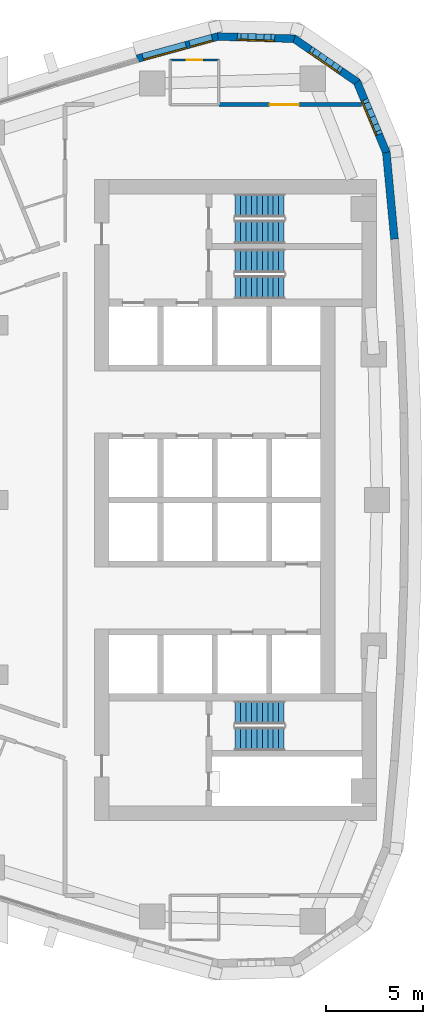
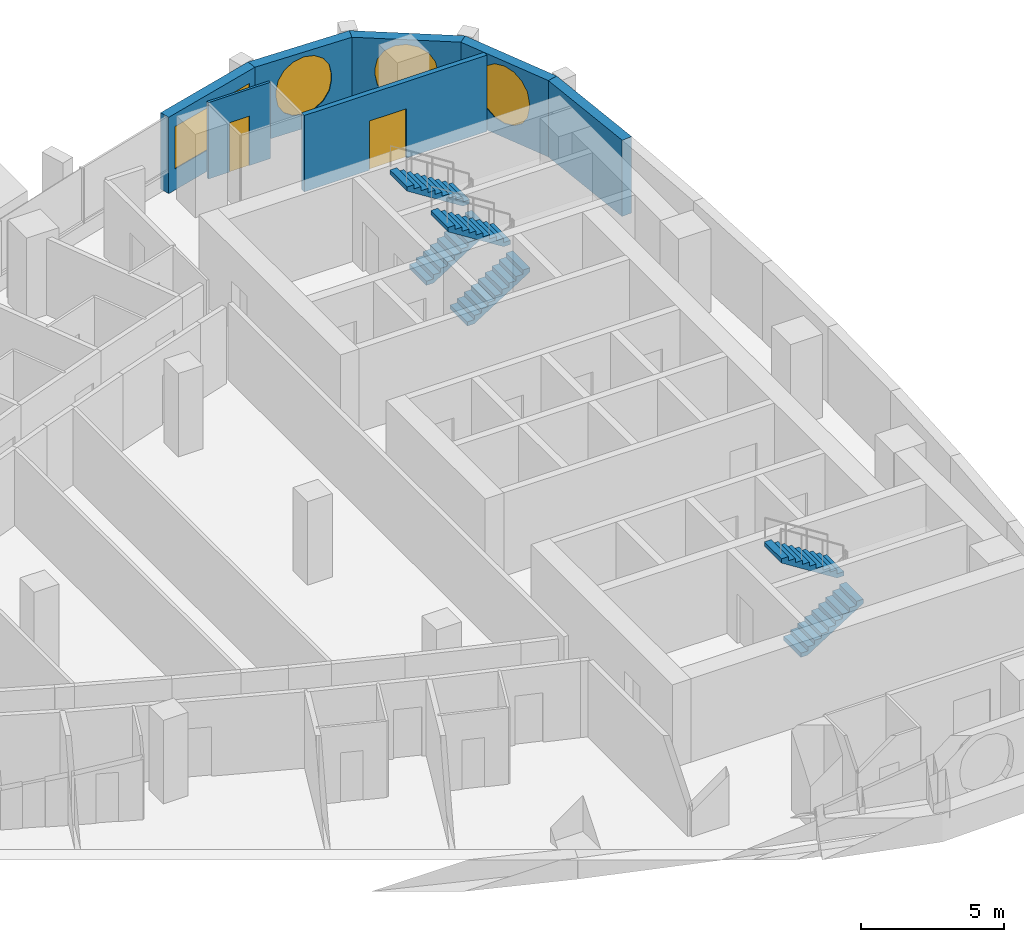
# One storey, part 13 of 17: 7 walls, 6 stair flights, 5 windows, 2 doors, 7 openings, 3 elements without a shape of their own.
"""IFC4 building model written with IfcOpenShell, lengths in metres."""

from ifc_helpers import new_model, si_unit, direction, frame, frame_2d, origin, place, context, subcontext, project, spatial, polyline, rectangle, outline, extrude, material, layer, layer_set, type_object, element, fill, aggregate, save


model = new_model("IFC4")

# Units and contexts
model_context = context("Model", 3, precision=1e-05, world=origin(), true_north=direction((0.0, 1.0)))
body_context = subcontext(model_context, "Body", "Model", "MODEL_VIEW")
ifc_project = project(units=[si_unit("LENGTHUNIT", "METRE"), si_unit("AREAUNIT", "SQUARE_METRE"), si_unit("VOLUMEUNIT", "CUBIC_METRE"), si_unit("PLANEANGLEUNIT", "RADIAN"), si_unit("MASSUNIT", "GRAM", prefix="KILO")], contexts=[model_context])

# Site, building, storey
site_placement = place(None, origin())
site = spatial("IfcSite", under=ifc_project, at=site_placement, CompositionType="ELEMENT")
building_placement = place(site_placement, origin())
building = spatial("IfcBuilding", under=site, at=building_placement, Name="Ostrand Prow Hotel Tower", CompositionType="ELEMENT")
storey_placement = place(building_placement, frame((0.0, 0.0, 175.5)))
storey = spatial("IfcBuildingStorey", under=building, at=storey_placement, Name="L43", CompositionType="ELEMENT", Elevation=175.5)

# Wall, opening, door
ifc_material_1 = material(Name="Plasterboard partition")
ifc_layer_1 = layer(ifc_material_1, 0.10009765625)
ifc_layer_set_1 = layer_set([ifc_layer_1], Name="Plasterboard partition")
wall_type_1 = type_object("IfcWallType", Name="Partition 100 bathroom wall", PredefinedType="PARTITIONING", material=ifc_layer_set_1)
wall_1_placement = place(storey_placement, frame((53.85009765625, 22.64990234375, 0.0), z_axis=(0.0, 0.0, 1.0), x_axis=(1.0, 0.0, 0.0)))
wall_1 = element("IfcWall", 1, at=wall_1_placement, inside=storey, type_object=wall_type_1, Name="BATHROOM WALL", PredefinedType="PARTITIONING", context=body_context, shape_type="SweptSolid", body=[
    extrude(rectangle(XDim=2.5, YDim=0.10009765625, at=frame_2d((1.25, 0.0))), origin(), (0.0, 0.0, 1.0), 3.25),
])
opening_1_placement = place(wall_1_placement, frame((0.85009765625, 0.0, 0.0)))
opening_1 = element("IfcOpeningElement", 2, at=opening_1_placement, cuts=wall_1, Name="Opening D2", PredefinedType="OPENING", context=body_context, shape_type="SweptSolid", body=[
    extrude(rectangle(XDim=0.800048828125, YDim=2.10009765625, at=frame_2d((0.39990234375, 1.050048828125))), frame((0.0, 0.06005859375, 0.0), z_axis=(0.0, -1.0, 0.0), x_axis=(1.0, 0.0, 0.0)), (0.0, 0.0, 1.0), 0.1201171875),
])
ifc_material_2 = material(Name="Timber door leaf", Category="wood")
door_type_1 = type_object("IfcDoorType", Name="Bathroom door 800", OperationType="SINGLE_SWING_LEFT", PredefinedType="DOOR", material=ifc_material_2)
door_1_placement = place(opening_1_placement, origin())
door_1 = element("IfcDoor", 3, at=door_1_placement, inside=storey, type_object=door_type_1, Name="DOOR", OperationType="SINGLE_SWING_LEFT", OverallHeight=2.10009765625, OverallWidth=0.800048828125, PredefinedType="DOOR", context=body_context, shape_type="SweptSolid", body=[
    extrude(rectangle(XDim=0.800048828125, YDim=2.10009765625, at=frame_2d((0.39990234375, 1.050048828125))), frame((0.0, 0.02490234375, 0.0), z_axis=(0.0, -1.0, 0.0), x_axis=(1.0, 0.0, 0.0)), (0.0, 0.0, 1.0), 0.050048828125),
])
fill(opening_1, door_1)

ifc_material_3 = material(Name="Plasterboard partition")
ifc_layer_2 = layer(ifc_material_3, 0.199951171875)
ifc_layer_set_2 = layer_set([ifc_layer_2], Name="Plasterboard partition")
wall_type_2 = type_object("IfcWallType", Name="Partition 200 corridor wall", PredefinedType="PARTITIONING", material=ifc_layer_set_2)
wall_2_placement = place(storey_placement, frame((63.70947265625, 20.35498046875, 0.0), z_axis=(0.0, 0.0, 1.0), x_axis=(-1.0, 0.0, 0.0)))
wall_2 = element("IfcWall", 4, at=wall_2_placement, inside=storey, type_object=wall_type_2, Name="CORRIDOR WALL", PredefinedType="PARTITIONING", context=body_context, shape_type="SweptSolid", body=[
    extrude(rectangle(XDim=7.3544921875, YDim=0.199951171875, at=frame_2d((3.67724609375, 0.0))), origin(), (0.0, 0.0, 1.0), 3.25),
])
opening_2_placement = place(wall_2_placement, frame((3.230712890625, 0.0, 0.0)))
opening_2 = element("IfcOpeningElement", 5, at=opening_2_placement, cuts=wall_2, Name="Opening D15", PredefinedType="OPENING", context=body_context, shape_type="SweptSolid", body=[
    extrude(rectangle(XDim=1.5, YDim=2.10009765625, at=frame_2d((0.75, 1.050048828125))), frame((0.0, 0.10986328125, 0.0), z_axis=(0.0, -1.0, 0.0), x_axis=(1.0, 0.0, 0.0)), (0.0, 0.0, 1.0), 0.219970703125),
])
ifc_material_4 = material(Name="Timber door leaf", Category="wood")
door_type_2 = type_object("IfcDoorType", Name="Double door 1500", OperationType="DOUBLE_DOOR_SINGLE_SWING", PredefinedType="DOOR", material=ifc_material_4)
door_2_placement = place(opening_2_placement, origin())
door_2 = element("IfcDoor", 6, at=door_2_placement, inside=storey, type_object=door_type_2, Name="DOOR", OperationType="DOUBLE_DOOR_SINGLE_SWING", OverallHeight=2.10009765625, OverallWidth=1.5, PredefinedType="DOOR", context=body_context, shape_type="SweptSolid", body=[
    extrude(rectangle(XDim=1.5, YDim=2.10009765625, at=frame_2d((0.75, 1.050048828125))), frame((0.0, 0.02490234375, 0.0), z_axis=(0.0, -1.0, 0.0), x_axis=(1.0, 0.0, 0.0)), (0.0, 0.0, 1.0), 0.050048828125),
])
fill(opening_2, door_2)

# Wall
ifc_material_5 = material(Name="Precast concrete C40/50", Category="concrete")
ifc_layer_3 = layer(ifc_material_5, 0.39990234375)
ifc_layer_set_3 = layer_set([ifc_layer_3], Name="Precast concrete C40/50")
wall_type_3 = type_object("IfcWallType", Name="Stone-faced precast wall 400 mm", PredefinedType="NOTDEFINED", material=ifc_layer_set_3)
wall_3_placement = place(storey_placement, frame((65.400634765625, 13.4287109375, 0.0), z_axis=(0.0, 0.0, 1.0), x_axis=(-0.093605694738, 0.995609348044, 0.0)))
element("IfcWall", 7, at=wall_3_placement, inside=storey, type_object=wall_type_3, Name="Stone-faced wall back 12", PredefinedType="NOTDEFINED", context=body_context, shape_type="SweptSolid", body=[
    extrude(outline(polyline([(-0.002685546875, -0.199951171875), (4.51123046875, -0.199951171875), (4.45068359375, 0.199951171875), (0.002685546875, 0.199951171875), (-0.002685546875, -0.199951171875)])), origin(), (0.0, 0.0, 1.0), 3.25),
])

# Wall, opening, window
wall_4_placement = place(storey_placement, frame((64.981201171875, 17.889892578125, 0.0), z_axis=(0.0, 0.0, 1.0), x_axis=(-0.383997619794, 0.923334082547, 0.0)))
wall_4 = element("IfcWall", 8, at=wall_4_placement, inside=storey, type_object=wall_type_3, Name="Stone-faced wall back 13", PredefinedType="NOTDEFINED", context=body_context, shape_type="SweptSolid", body=[
    extrude(outline(polyline([(-0.0302734375, -0.199951171875), (3.98828125, -0.199951171875), (3.8701171875, 0.199951171875), (0.0302734375, 0.199951171875), (-0.0302734375, -0.199951171875)])), origin(), (0.0, 0.0, 1.0), 3.25),
])
opening_3_placement = place(wall_4_placement, frame((0.864501953125, 0.0, 0.60009765625)))
opening_3 = element("IfcOpeningElement", 9, at=opening_3_placement, cuts=wall_4, Name="Opening WP1", PredefinedType="OPENING", context=body_context, shape_type="SweptSolid", body=[
    extrude(outline(polyline([(0.0, 1.35009765625), (0.083740234375, 1.77099609375), (0.322265625, 2.127685546875), (0.678955078125, 2.3662109375), (1.10009765625, 2.449951171875), (1.52099609375, 2.3662109375), (1.877685546875, 2.127685546875), (2.1162109375, 1.77099609375), (2.199951171875, 1.35009765625), (2.199951171875, 1.10009765625), (2.1162109375, 0.678955078125), (1.877685546875, 0.322265625), (1.52099609375, 0.083740234375), (1.10009765625, 0.0), (0.678955078125, 0.083740234375), (0.322265625, 0.322265625), (0.083740234375, 0.678955078125), (0.0, 1.099853515625), (0.0, 1.35009765625)])), frame((0.0, 0.2099609375, 0.0), z_axis=(0.0, -1.0, 0.0), x_axis=(1.0, 0.0, 0.0)), (0.0, 0.0, 1.0), 0.419921875),
])
ifc_material_6 = material(Name="Insulated glass in bronze frame", Category="glass")
window_type_1 = type_object("IfcWindowType", Name="Round-ended prow window 2200x2450", PartitioningType="SINGLE_PANEL", PredefinedType="WINDOW", material=ifc_material_6)
window_1_placement = place(opening_3_placement, origin())
window_1 = element("IfcWindow", 10, at=window_1_placement, inside=storey, type_object=window_type_1, Name="Window back 13.1", OverallHeight=2.449951171875, OverallWidth=2.199951171875, PartitioningType="SINGLE_PANEL", PredefinedType="WINDOW", context=body_context, shape_type="SweptSolid", body=[
    extrude(outline(polyline([(0.0, 1.35009765625), (0.083740234375, 1.77099609375), (0.322265625, 2.127685546875), (0.678955078125, 2.3662109375), (1.10009765625, 2.449951171875), (1.52099609375, 2.3662109375), (1.877685546875, 2.127685546875), (2.1162109375, 1.77099609375), (2.199951171875, 1.35009765625), (2.199951171875, 1.10009765625), (2.1162109375, 0.678955078125), (1.877685546875, 0.322265625), (1.52099609375, 0.083740234375), (1.10009765625, 0.0), (0.678955078125, 0.083740234375), (0.322265625, 0.322265625), (0.083740234375, 0.678955078125), (0.0, 1.099853515625), (0.0, 1.35009765625)])), frame((0.0, 0.169921875, 0.0), z_axis=(0.0, -1.0, 0.0), x_axis=(1.0, 0.0, 0.0)), (0.0, 0.0, 1.0), 0.06005859375),
])
fill(opening_3, window_1)

wall_5_placement = place(storey_placement, frame((63.472412109375, 21.517822265625, 0.0), z_axis=(0.0, 0.0, 1.0), x_axis=(-0.823806162588, 0.566871596115, 0.0)))
wall_5 = element("IfcWall", 11, at=wall_5_placement, inside=storey, type_object=wall_type_3, Name="Stone-faced wall back 14", PredefinedType="NOTDEFINED", context=body_context, shape_type="SweptSolid", body=[
    extrude(outline(polyline([(-0.05908203125, -0.199951171875), (3.98828125, -0.199951171875), (3.8701171875, 0.199951171875), (0.05908203125, 0.199951171875), (-0.05908203125, -0.199951171875)])), origin(), (0.0, 0.0, 1.0), 3.25),
])
opening_4_placement = place(wall_5_placement, frame((0.864501953125, 0.0, 0.60009765625)))
opening_4 = element("IfcOpeningElement", 12, at=opening_4_placement, cuts=wall_5, Name="Opening WP1", PredefinedType="OPENING", context=body_context, shape_type="SweptSolid", body=[
    extrude(outline(polyline([(0.0, 1.35009765625), (0.083740234375, 1.77099609375), (0.322265625, 2.127685546875), (0.678955078125, 2.3662109375), (1.10009765625, 2.449951171875), (1.52099609375, 2.3662109375), (1.877685546875, 2.127685546875), (2.1162109375, 1.77099609375), (2.199951171875, 1.35009765625), (2.199951171875, 1.10009765625), (2.1162109375, 0.678955078125), (1.877685546875, 0.322265625), (1.52099609375, 0.083740234375), (1.10009765625, 0.0), (0.678955078125, 0.083740234375), (0.322265625, 0.322265625), (0.083740234375, 0.678955078125), (0.0, 1.099853515625), (0.0, 1.35009765625)])), frame((0.0, 0.2099609375, 0.0), z_axis=(0.0, -1.0, 0.0), x_axis=(1.0, 0.0, 0.0)), (0.0, 0.0, 1.0), 0.419921875),
])
window_2_placement = place(opening_4_placement, origin())
window_2 = element("IfcWindow", 13, at=window_2_placement, inside=storey, type_object=window_type_1, Name="Window back 14.1", OverallHeight=2.449951171875, OverallWidth=2.199951171875, PartitioningType="SINGLE_PANEL", PredefinedType="WINDOW", context=body_context, shape_type="SweptSolid", body=[
    extrude(outline(polyline([(0.0, 1.35009765625), (0.083740234375, 1.77099609375), (0.322265625, 2.127685546875), (0.678955078125, 2.3662109375), (1.10009765625, 2.449951171875), (1.52099609375, 2.3662109375), (1.877685546875, 2.127685546875), (2.1162109375, 1.77099609375), (2.199951171875, 1.35009765625), (2.199951171875, 1.10009765625), (2.1162109375, 0.678955078125), (1.877685546875, 0.322265625), (1.52099609375, 0.083740234375), (1.10009765625, 0.0), (0.678955078125, 0.083740234375), (0.322265625, 0.322265625), (0.083740234375, 0.678955078125), (0.0, 1.099853515625), (0.0, 1.35009765625)])), frame((0.0, 0.169921875, 0.0), z_axis=(0.0, -1.0, 0.0), x_axis=(1.0, 0.0, 0.0)), (0.0, 0.0, 1.0), 0.06005859375),
])
fill(opening_4, window_2)

wall_6_placement = place(storey_placement, frame((60.235595703125, 23.7451171875, 0.0), z_axis=(0.0, 0.0, 1.0), x_axis=(-0.999587920197, 0.028705222472, 0.0)))
wall_6 = element("IfcWall", 14, at=wall_6_placement, inside=storey, type_object=wall_type_3, Name="Stone-faced wall back 15", PredefinedType="NOTDEFINED", context=body_context, shape_type="SweptSolid", body=[
    extrude(outline(polyline([(-0.05908203125, -0.199951171875), (3.959228515625, -0.199951171875), (3.899658203125, 0.199951171875), (0.05908203125, 0.199951171875), (-0.05908203125, -0.199951171875)])), origin(), (0.0, 0.0, 1.0), 3.25),
])
opening_5_placement = place(wall_6_placement, frame((0.864501953125, 0.0, 0.60009765625)))
opening_5 = element("IfcOpeningElement", 15, at=opening_5_placement, cuts=wall_6, Name="Opening WP1", PredefinedType="OPENING", context=body_context, shape_type="SweptSolid", body=[
    extrude(outline(polyline([(0.0, 1.35009765625), (0.083740234375, 1.77099609375), (0.322265625, 2.127685546875), (0.678955078125, 2.3662109375), (1.10009765625, 2.449951171875), (1.52099609375, 2.3662109375), (1.877685546875, 2.127685546875), (2.1162109375, 1.77099609375), (2.199951171875, 1.35009765625), (2.199951171875, 1.10009765625), (2.1162109375, 0.678955078125), (1.877685546875, 0.322265625), (1.52099609375, 0.083740234375), (1.10009765625, 0.0), (0.678955078125, 0.083740234375), (0.322265625, 0.322265625), (0.083740234375, 0.678955078125), (0.0, 1.099853515625), (0.0, 1.35009765625)])), frame((0.0, 0.2099609375, 0.0), z_axis=(0.0, -1.0, 0.0), x_axis=(1.0, 0.0, 0.0)), (0.0, 0.0, 1.0), 0.419921875),
])
window_3_placement = place(opening_5_placement, origin())
window_3 = element("IfcWindow", 16, at=window_3_placement, inside=storey, type_object=window_type_1, Name="Window back 15.1", OverallHeight=2.449951171875, OverallWidth=2.199951171875, PartitioningType="SINGLE_PANEL", PredefinedType="WINDOW", context=body_context, shape_type="SweptSolid", body=[
    extrude(outline(polyline([(0.0, 1.35009765625), (0.083740234375, 1.77099609375), (0.322265625, 2.127685546875), (0.678955078125, 2.3662109375), (1.10009765625, 2.449951171875), (1.52099609375, 2.3662109375), (1.877685546875, 2.127685546875), (2.1162109375, 1.77099609375), (2.199951171875, 1.35009765625), (2.199951171875, 1.10009765625), (2.1162109375, 0.678955078125), (1.877685546875, 0.322265625), (1.52099609375, 0.083740234375), (1.10009765625, 0.0), (0.678955078125, 0.083740234375), (0.322265625, 0.322265625), (0.083740234375, 0.678955078125), (0.0, 1.099853515625), (0.0, 1.35009765625)])), frame((0.0, 0.169921875, 0.0), z_axis=(0.0, -1.0, 0.0), x_axis=(1.0, 0.0, 0.0)), (0.0, 0.0, 1.0), 0.06005859375),
])
fill(opening_5, window_3)

# Wall, openings, windows
wall_7_placement = place(storey_placement, frame((56.307861328125, 23.85791015625, 0.0), z_axis=(0.0, 0.0, 1.0), x_axis=(-0.964205755089, -0.265155165617, 0.0)))
wall_7 = element("IfcWall", 17, at=wall_7_placement, inside=storey, type_object=wall_type_3, Name="Stone-faced wall back 16", PredefinedType="NOTDEFINED", context=body_context, shape_type="SweptSolid", body=[
    extrude(outline(polyline([(-0.02978515625, -0.199951171875), (4.30712890625, -0.199951171875), (4.30712890625, 0.199951171875), (0.02978515625, 0.199951171875), (-0.02978515625, -0.199951171875)])), origin(), (0.0, 0.0, 1.0), 3.25),
])
opening_6_placement = place(wall_7_placement, frame((0.303466796875, 0.0, 0.89990234375)))
opening_6 = element("IfcOpeningElement", 18, at=opening_6_placement, cuts=wall_7, Name="Opening WS4", PredefinedType="OPENING", context=body_context, shape_type="SweptSolid", body=[
    extrude(rectangle(XDim=1.199951171875, YDim=1.800048828125, at=frame_2d((0.60009765625, 0.89990234375))), frame((0.0, 0.2099609375, 0.0), z_axis=(0.0, -1.0, 0.0), x_axis=(1.0, 0.0, 0.0)), (0.0, 0.0, 1.0), 0.419921875),
])
opening_7_placement = place(wall_7_placement, frame((1.70361328125, 0.0, 0.89990234375)))
opening_7 = element("IfcOpeningElement", 19, at=opening_7_placement, cuts=wall_7, Name="Opening WS5-23", PredefinedType="OPENING", context=body_context, shape_type="SweptSolid", body=[
    extrude(rectangle(XDim=2.300048828125, YDim=1.800048828125, at=frame_2d((1.14990234375, 0.89990234375))), frame((0.0, 0.2099609375, 0.0), z_axis=(0.0, -1.0, 0.0), x_axis=(1.0, 0.0, 0.0)), (0.0, 0.0, 1.0), 0.419921875),
])
ifc_material_7 = material(Name="Insulated glass in bronze frame", Category="glass")
window_type_2 = type_object("IfcWindowType", Name="Fixed strip window 2300x1800", PartitioningType="SINGLE_PANEL", PredefinedType="WINDOW", material=ifc_material_7)
window_4_placement = place(opening_7_placement, origin())
window_4 = element("IfcWindow", 20, at=window_4_placement, inside=storey, type_object=window_type_2, Name="Window back 16.2", OverallHeight=1.800048828125, OverallWidth=2.300048828125, PartitioningType="SINGLE_PANEL", PredefinedType="WINDOW", context=body_context, shape_type="SweptSolid", body=[
    extrude(rectangle(XDim=2.300048828125, YDim=1.800048828125, at=frame_2d((1.14990234375, 0.89990234375))), frame((0.0, 0.169921875, 0.0), z_axis=(0.0, -1.0, 0.0), x_axis=(1.0, 0.0, 0.0)), (0.0, 0.0, 1.0), 0.06005859375),
])
fill(opening_7, window_4)
ifc_material_8 = material(Name="Insulated glass in bronze frame", Category="glass")
window_type_3 = type_object("IfcWindowType", Name="Operable strip panel 1200x1800", PartitioningType="SINGLE_PANEL", PredefinedType="WINDOW", material=ifc_material_8)
window_5_placement = place(opening_6_placement, origin())
window_5 = element("IfcWindow", 21, at=window_5_placement, inside=storey, type_object=window_type_3, Name="Window back 16.1", OverallHeight=1.800048828125, OverallWidth=1.199951171875, PartitioningType="SINGLE_PANEL", PredefinedType="WINDOW", context=body_context, shape_type="SweptSolid", body=[
    extrude(rectangle(XDim=1.199951171875, YDim=1.800048828125, at=frame_2d((0.60009765625, 0.89990234375))), frame((0.0, 0.169921875, 0.0), z_axis=(0.0, -1.0, 0.0), x_axis=(1.0, 0.0, 0.0)), (0.0, 0.0, 1.0), 0.06005859375),
])
fill(opening_6, window_5)

# Stair, stair flights
ifc_material_9 = material(Name="Concrete C40/50", Category="concrete")
stair_type = type_object("IfcStairType", Name="Exit stair 1200 upper zone", PredefinedType="HALF_TURN_STAIR", material=ifc_material_9)
stair_1_placement = place(storey_placement, origin())
stair_1 = element("IfcStair", 22, at=stair_1_placement, inside=storey, type_object=stair_type, Name="L43 ST1C", PredefinedType="HALF_TURN_STAIR")
ifc_material_10 = material(Name="Concrete C40/50", Category="concrete")
stair_flight_type = type_object("IfcStairFlightType", Name="Stair flight 1200 concrete", PredefinedType="STRAIGHT", material=ifc_material_10)
stair_flight_1_placement = place(storey_placement, frame((57.199951171875, 10.949951171875, 0.0), z_axis=(0.0, 0.0, 1.0), x_axis=(1.0, 0.0, 0.0)))
stair_flight_1 = element("IfcStairFlight", 23, at=stair_flight_1_placement, type_object=stair_flight_type, Name="ST1C flight 1", NumberOfRisers=10, NumberOfTreads=9, PredefinedType="STRAIGHT", RiserHeight=0.1775, TreadLength=0.28, context=body_context, shape_type="SweptSolid", body=[
    extrude(outline(polyline([(0.0, 0.0), (0.0, 0.177490234375), (0.280029296875, 0.177490234375), (0.280029296875, 0.35498046875), (0.56005859375, 0.35498046875), (0.56005859375, 0.532470703125), (0.840087890625, 0.532470703125), (0.840087890625, 0.7099609375), (1.1201171875, 0.7099609375), (1.1201171875, 0.887451171875), (1.39990234375, 0.887451171875), (1.39990234375, 1.06494140625), (1.679931640625, 1.06494140625), (1.679931640625, 1.242431640625), (1.9599609375, 1.242431640625), (1.9599609375, 1.419921875), (2.239990234375, 1.419921875), (2.239990234375, 1.597412109375), (2.52001953125, 1.597412109375), (2.52001953125, 1.77490234375), (2.52001953125, 1.419921875), (0.280029296875, 0.0), (0.0, 0.0)])), frame((0.0, 0.60009765625, 0.0), z_axis=(0.0, -1.0, 0.0), x_axis=(1.0, 0.0, 0.0)), (0.0, 0.0, 1.0), 1.199951171875),
])
stair_flight_2_placement = place(storey_placement, frame((59.719970703125, 12.300048828125, 1.77490234375), z_axis=(0.0, 0.0, 1.0), x_axis=(-1.0, 0.0, 0.0)))
stair_flight_2 = element("IfcStairFlight", 24, at=stair_flight_2_placement, type_object=stair_flight_type, Name="ST1C flight 2", NumberOfRisers=10, NumberOfTreads=9, PredefinedType="STRAIGHT", RiserHeight=0.1775, TreadLength=0.28, context=body_context, shape_type="SweptSolid", body=[
    extrude(outline(polyline([(0.0, 0.0), (0.0, 0.177490234375), (0.280029296875, 0.177490234375), (0.280029296875, 0.35498046875), (0.56005859375, 0.35498046875), (0.56005859375, 0.532470703125), (0.840087890625, 0.532470703125), (0.840087890625, 0.7099609375), (1.1201171875, 0.7099609375), (1.1201171875, 0.887451171875), (1.39990234375, 0.887451171875), (1.39990234375, 1.06494140625), (1.679931640625, 1.06494140625), (1.679931640625, 1.242431640625), (1.9599609375, 1.242431640625), (1.9599609375, 1.419921875), (2.239990234375, 1.419921875), (2.239990234375, 1.597412109375), (2.52001953125, 1.597412109375), (2.52001953125, 1.77490234375), (2.52001953125, 1.419921875), (0.280029296875, 0.0), (0.0, 0.0)])), frame((0.0, 0.60009765625, 0.0), z_axis=(0.0, -1.0, 0.0), x_axis=(1.0, 0.0, 0.0)), (0.0, 0.0, 1.0), 1.199951171875),
])
aggregate(stair_1, [stair_flight_1, stair_flight_2])

stair_2_placement = place(storey_placement, origin())
stair_2 = element("IfcStair", 25, at=stair_2_placement, inside=storey, type_object=stair_type, Name="L43 ST3C", PredefinedType="HALF_TURN_STAIR")
stair_flight_3_placement = place(storey_placement, frame((57.199951171875, 13.800048828125, 0.0), z_axis=(0.0, 0.0, 1.0), x_axis=(1.0, 0.0, 0.0)))
stair_flight_3 = element("IfcStairFlight", 26, at=stair_flight_3_placement, type_object=stair_flight_type, Name="ST3C flight 1", NumberOfRisers=10, NumberOfTreads=9, PredefinedType="STRAIGHT", RiserHeight=0.1775, TreadLength=0.28, context=body_context, shape_type="SweptSolid", body=[
    extrude(outline(polyline([(0.0, 0.0), (0.0, 0.177490234375), (0.280029296875, 0.177490234375), (0.280029296875, 0.35498046875), (0.56005859375, 0.35498046875), (0.56005859375, 0.532470703125), (0.840087890625, 0.532470703125), (0.840087890625, 0.7099609375), (1.1201171875, 0.7099609375), (1.1201171875, 0.887451171875), (1.39990234375, 0.887451171875), (1.39990234375, 1.06494140625), (1.679931640625, 1.06494140625), (1.679931640625, 1.242431640625), (1.9599609375, 1.242431640625), (1.9599609375, 1.419921875), (2.239990234375, 1.419921875), (2.239990234375, 1.597412109375), (2.52001953125, 1.597412109375), (2.52001953125, 1.77490234375), (2.52001953125, 1.419921875), (0.280029296875, 0.0), (0.0, 0.0)])), frame((0.0, 0.60009765625, 0.0), z_axis=(0.0, -1.0, 0.0), x_axis=(1.0, 0.0, 0.0)), (0.0, 0.0, 1.0), 1.199951171875),
])
stair_flight_4_placement = place(storey_placement, frame((59.719970703125, 15.14990234375, 1.77490234375), z_axis=(0.0, 0.0, 1.0), x_axis=(-1.0, 0.0, 0.0)))
stair_flight_4 = element("IfcStairFlight", 27, at=stair_flight_4_placement, type_object=stair_flight_type, Name="ST3C flight 2", NumberOfRisers=10, NumberOfTreads=9, PredefinedType="STRAIGHT", RiserHeight=0.1775, TreadLength=0.28, context=body_context, shape_type="SweptSolid", body=[
    extrude(outline(polyline([(0.0, 0.0), (0.0, 0.177490234375), (0.280029296875, 0.177490234375), (0.280029296875, 0.35498046875), (0.56005859375, 0.35498046875), (0.56005859375, 0.532470703125), (0.840087890625, 0.532470703125), (0.840087890625, 0.7099609375), (1.1201171875, 0.7099609375), (1.1201171875, 0.887451171875), (1.39990234375, 0.887451171875), (1.39990234375, 1.06494140625), (1.679931640625, 1.06494140625), (1.679931640625, 1.242431640625), (1.9599609375, 1.242431640625), (1.9599609375, 1.419921875), (2.239990234375, 1.419921875), (2.239990234375, 1.597412109375), (2.52001953125, 1.597412109375), (2.52001953125, 1.77490234375), (2.52001953125, 1.419921875), (0.280029296875, 0.0), (0.0, 0.0)])), frame((0.0, 0.60009765625, 0.0), z_axis=(0.0, -1.0, 0.0), x_axis=(1.0, 0.0, 0.0)), (0.0, 0.0, 1.0), 1.199951171875),
])
aggregate(stair_2, [stair_flight_3, stair_flight_4])

stair_3_placement = place(storey_placement, origin())
stair_3 = element("IfcStair", 28, at=stair_3_placement, inside=storey, type_object=stair_type, Name="L43 ST2C", PredefinedType="HALF_TURN_STAIR")
stair_flight_5_placement = place(storey_placement, frame((57.199951171875, -12.300048828125, 0.0), z_axis=(0.0, 0.0, 1.0), x_axis=(1.0, 0.0, 0.0)))
stair_flight_5 = element("IfcStairFlight", 29, at=stair_flight_5_placement, type_object=stair_flight_type, Name="ST2C flight 1", NumberOfRisers=10, NumberOfTreads=9, PredefinedType="STRAIGHT", RiserHeight=0.1775, TreadLength=0.28, context=body_context, shape_type="SweptSolid", body=[
    extrude(outline(polyline([(0.0, 0.0), (0.0, 0.177490234375), (0.280029296875, 0.177490234375), (0.280029296875, 0.35498046875), (0.56005859375, 0.35498046875), (0.56005859375, 0.532470703125), (0.840087890625, 0.532470703125), (0.840087890625, 0.7099609375), (1.1201171875, 0.7099609375), (1.1201171875, 0.887451171875), (1.39990234375, 0.887451171875), (1.39990234375, 1.06494140625), (1.679931640625, 1.06494140625), (1.679931640625, 1.242431640625), (1.9599609375, 1.242431640625), (1.9599609375, 1.419921875), (2.239990234375, 1.419921875), (2.239990234375, 1.597412109375), (2.52001953125, 1.597412109375), (2.52001953125, 1.77490234375), (2.52001953125, 1.419921875), (0.280029296875, 0.0), (0.0, 0.0)])), frame((0.0, 0.60009765625, 0.0), z_axis=(0.0, -1.0, 0.0), x_axis=(1.0, 0.0, 0.0)), (0.0, 0.0, 1.0), 1.199951171875),
])
stair_flight_6_placement = place(storey_placement, frame((59.719970703125, -10.949951171875, 1.77490234375), z_axis=(0.0, 0.0, 1.0), x_axis=(-1.0, 0.0, 0.0)))
stair_flight_6 = element("IfcStairFlight", 30, at=stair_flight_6_placement, type_object=stair_flight_type, Name="ST2C flight 2", NumberOfRisers=10, NumberOfTreads=9, PredefinedType="STRAIGHT", RiserHeight=0.1775, TreadLength=0.28, context=body_context, shape_type="SweptSolid", body=[
    extrude(outline(polyline([(0.0, 0.0), (0.0, 0.177490234375), (0.280029296875, 0.177490234375), (0.280029296875, 0.35498046875), (0.56005859375, 0.35498046875), (0.56005859375, 0.532470703125), (0.840087890625, 0.532470703125), (0.840087890625, 0.7099609375), (1.1201171875, 0.7099609375), (1.1201171875, 0.887451171875), (1.39990234375, 0.887451171875), (1.39990234375, 1.06494140625), (1.679931640625, 1.06494140625), (1.679931640625, 1.242431640625), (1.9599609375, 1.242431640625), (1.9599609375, 1.419921875), (2.239990234375, 1.419921875), (2.239990234375, 1.597412109375), (2.52001953125, 1.597412109375), (2.52001953125, 1.77490234375), (2.52001953125, 1.419921875), (0.280029296875, 0.0), (0.0, 0.0)])), frame((0.0, 0.60009765625, 0.0), z_axis=(0.0, -1.0, 0.0), x_axis=(1.0, 0.0, 0.0)), (0.0, 0.0, 1.0), 1.199951171875),
])
aggregate(stair_3, [stair_flight_5, stair_flight_6])

save(model, "model.ifc")
